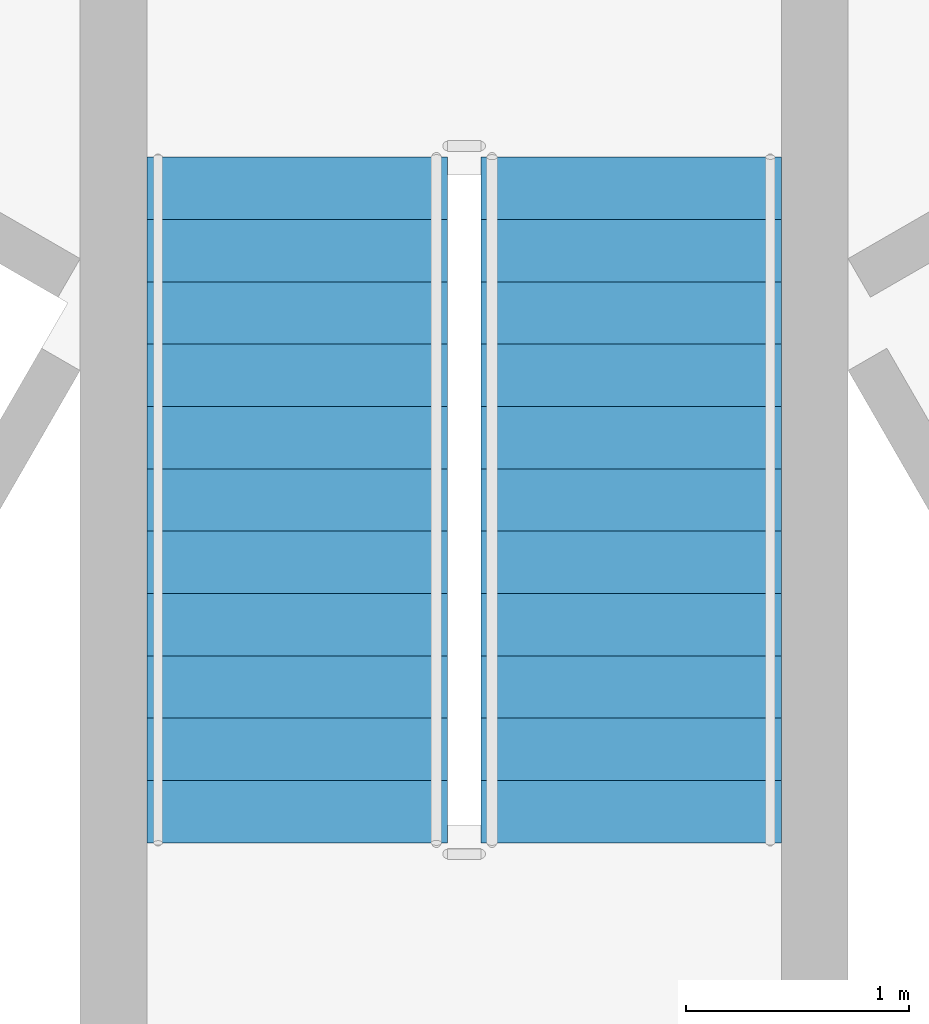
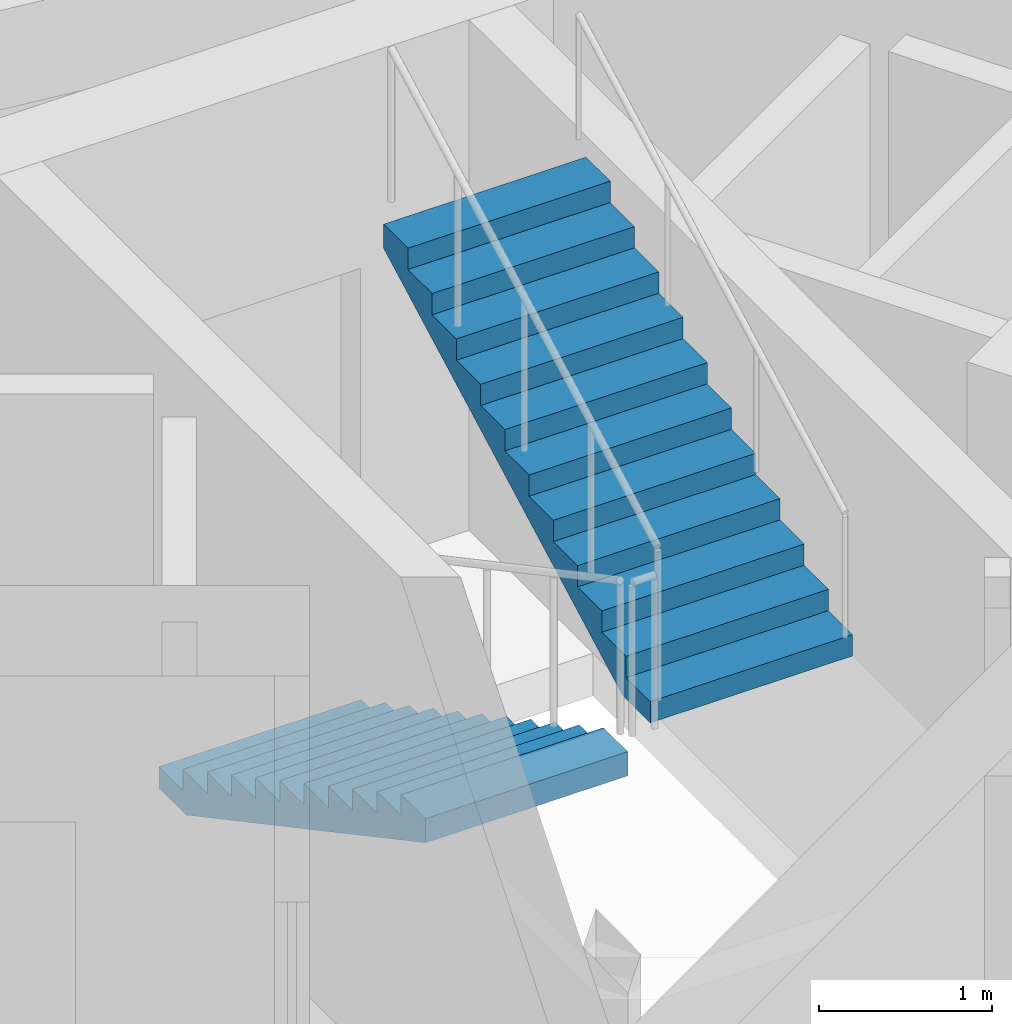
# One storey, part 7 of 13: 2 stair flights, 1 element without a shape of its own.
"""IFC4 building model written with IfcOpenShell, lengths in metres."""

from ifc_helpers import new_model, si_unit, direction, frame, origin, place, context, subcontext, project, spatial, polyline, outline, extrude, material, type_object, element, aggregate, save


model = new_model("IFC4")

# Units and contexts
model_context = context("Model", 3, precision=1e-05, world=origin(), true_north=direction((0.0, 1.0)))
body_context = subcontext(model_context, "Body", "Model", "MODEL_VIEW")
ifc_project = project(units=[si_unit("LENGTHUNIT", "METRE"), si_unit("AREAUNIT", "SQUARE_METRE"), si_unit("VOLUMEUNIT", "CUBIC_METRE"), si_unit("PLANEANGLEUNIT", "RADIAN"), si_unit("MASSUNIT", "GRAM", prefix="KILO")], contexts=[model_context])

# Site, building, storey
site_placement = place(None, origin())
site = spatial("IfcSite", under=ifc_project, at=site_placement, CompositionType="ELEMENT")
building_placement = place(site_placement, origin())
building = spatial("IfcBuilding", under=site, at=building_placement, Name="Trine Commons Tower", CompositionType="ELEMENT")
storey_placement = place(building_placement, frame((0.0, 0.0, 286.199951171875)))
storey = spatial("IfcBuildingStorey", under=building, at=storey_placement, Name="L75", CompositionType="ELEMENT", Elevation=286.199951171875)

# Stair, stair flights
ifc_material = material(Name="Concrete C50/60", Category="concrete")
stair_type = type_object("IfcStairType", Name="Exit stair, dog-leg, 24 risers of 150 mm", PredefinedType="HALF_TURN_STAIR", material=ifc_material)
stair_placement = place(storey_placement, origin())
stair = element("IfcStair", 1, at=stair_placement, inside=storey, type_object=stair_type, Name="L75 Exit stair ST1D", PredefinedType="HALF_TURN_STAIR")
stair_flight_type = type_object("IfcStairFlightType", Name="Stair flight, 1350 wide, 12 risers of 150 mm", PredefinedType="STRAIGHT", material=ifc_material)
stair_flight_1_placement = place(storey_placement, frame((79.25, 68.570556640625, 0.0), z_axis=(0.0, 0.0, 1.0), x_axis=(0.0, -1.0, 0.0)))
stair_flight_1 = element("IfcStairFlight", 2, at=stair_flight_1_placement, type_object=stair_flight_type, Name="ST1D flight 1", NumberOfRisers=12, NumberOfTreads=11, PredefinedType="STRAIGHT", RiserHeight=0.15, TreadLength=0.28, context=body_context, shape_type="SweptSolid", body=[
    extrude(outline(polyline([(0.0, 0.0), (0.0, 0.14990234375), (0.280029296875, 0.14990234375), (0.280029296875, 0.300048828125), (0.56005859375, 0.300048828125), (0.56005859375, 0.449951171875), (0.840087890625, 0.449951171875), (0.840087890625, 0.60009765625), (1.1201171875, 0.60009765625), (1.1201171875, 0.75), (1.39990234375, 0.75), (1.39990234375, 0.89990234375), (1.679931640625, 0.89990234375), (1.679931640625, 1.050048828125), (1.9599609375, 1.050048828125), (1.9599609375, 1.199951171875), (2.239990234375, 1.199951171875), (2.239990234375, 1.35009765625), (2.52001953125, 1.35009765625), (2.52001953125, 1.5), (2.800048828125, 1.5), (2.800048828125, 1.64990234375), (3.080078125, 1.64990234375), (3.080078125, 1.800048828125), (3.080078125, 1.47998046875), (0.3173828125, 0.0), (0.0, 0.0)])), frame((0.0, 0.675048828125, 0.0), z_axis=(0.0, -1.0, 0.0), x_axis=(1.0, 0.0, 0.0)), (0.0, 0.0, 1.0), 1.35009765625),
])
stair_flight_2_placement = place(storey_placement, frame((80.75, 65.490478515625, 1.800048828125), z_axis=(0.0, 0.0, 1.0), x_axis=(0.0, 1.0, 0.0)))
stair_flight_2 = element("IfcStairFlight", 3, at=stair_flight_2_placement, type_object=stair_flight_type, Name="ST1D flight 2", NumberOfRisers=12, NumberOfTreads=11, PredefinedType="STRAIGHT", RiserHeight=0.15, TreadLength=0.28, context=body_context, shape_type="SweptSolid", body=[
    extrude(outline(polyline([(0.0, 0.0), (0.0, 0.14990234375), (0.280029296875, 0.14990234375), (0.280029296875, 0.300048828125), (0.56005859375, 0.300048828125), (0.56005859375, 0.449951171875), (0.840087890625, 0.449951171875), (0.840087890625, 0.60009765625), (1.1201171875, 0.60009765625), (1.1201171875, 0.75), (1.39990234375, 0.75), (1.39990234375, 0.89990234375), (1.679931640625, 0.89990234375), (1.679931640625, 1.050048828125), (1.9599609375, 1.050048828125), (1.9599609375, 1.199951171875), (2.239990234375, 1.199951171875), (2.239990234375, 1.35009765625), (2.52001953125, 1.35009765625), (2.52001953125, 1.5), (2.800048828125, 1.5), (2.800048828125, 1.64990234375), (3.080078125, 1.64990234375), (3.080078125, 1.800048828125), (3.080078125, 1.47998046875), (0.3173828125, 0.0), (0.0, 0.0)])), frame((0.0, 0.675048828125, 0.0), z_axis=(0.0, -1.0, 0.0), x_axis=(1.0, 0.0, 0.0)), (0.0, 0.0, 1.0), 1.35009765625),
])
aggregate(stair, [stair_flight_1, stair_flight_2])

save(model, "model.ifc")
